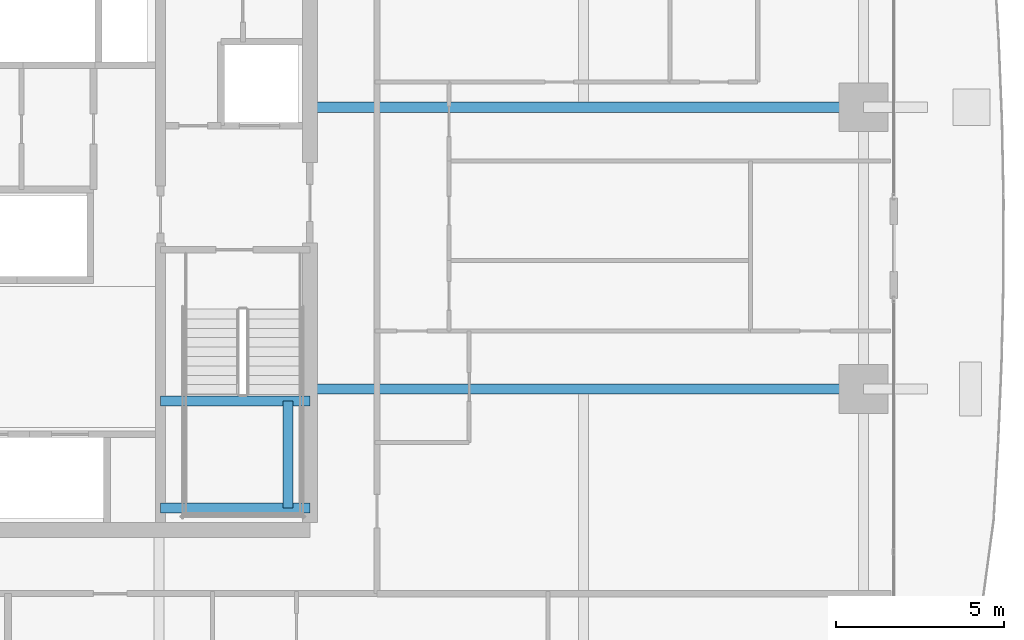
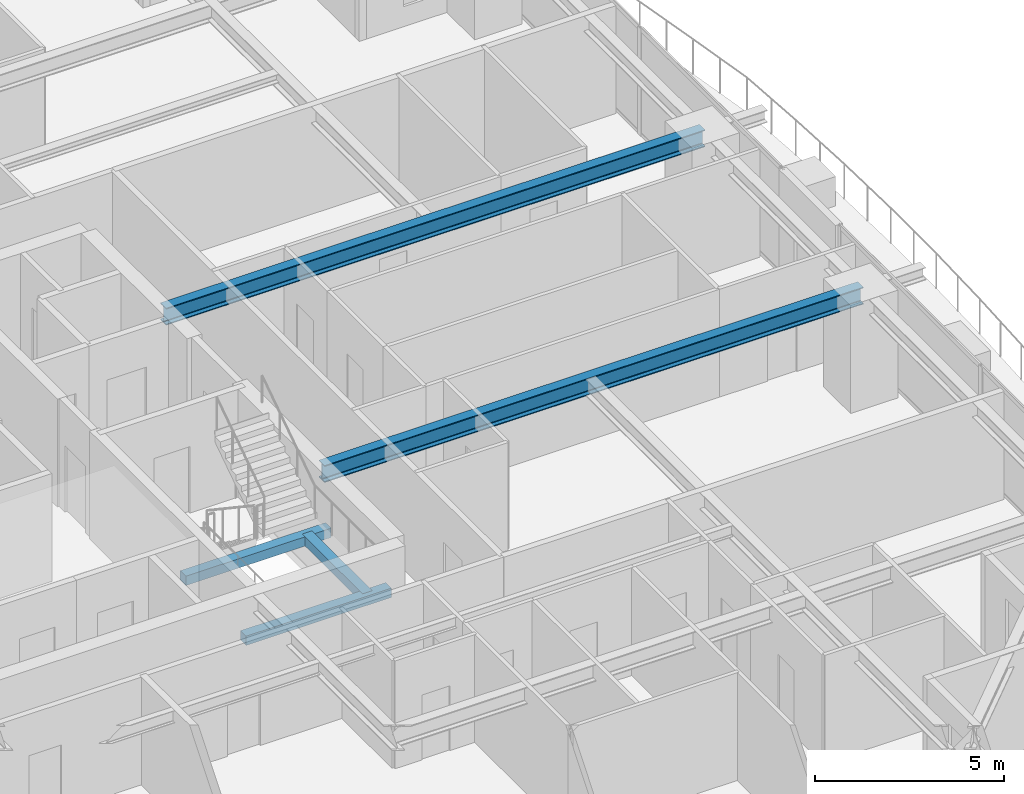
# One storey, part 13 of 39: 5 beams.
"""IFC4 building model written with IfcOpenShell, lengths in metres."""

from ifc_helpers import new_model, si_unit, direction, frame, origin, origin_2d, place, context, subcontext, project, spatial, rectangle, i_section, extrude, source, transform, mapped, material, material_profile, profile_set, type_object, element, save


model = new_model("IFC4")

# Units and contexts
model_context = context("Model", 3, precision=1e-05, world=origin(), true_north=direction((0.0, 1.0)))
body_context = subcontext(model_context, "Body", "Model", "MODEL_VIEW")
ifc_project = project(units=[si_unit("LENGTHUNIT", "METRE"), si_unit("AREAUNIT", "SQUARE_METRE"), si_unit("VOLUMEUNIT", "CUBIC_METRE"), si_unit("PLANEANGLEUNIT", "RADIAN"), si_unit("MASSUNIT", "GRAM", prefix="KILO")], contexts=[model_context])

# Site, building, storey
site_placement = place(None, origin())
site = spatial("IfcSite", under=ifc_project, at=site_placement, CompositionType="ELEMENT")
building_placement = place(site_placement, origin())
building = spatial("IfcBuilding", under=site, at=building_placement, Name="Serunith Strait Residences", CompositionType="ELEMENT")
storey_placement = place(building_placement, frame((0.0, 0.0, 97.949951171875)))
storey = spatial("IfcBuildingStorey", under=building, at=storey_placement, Name="L24", CompositionType="ELEMENT", Elevation=97.949951171875)

# Beams
ifc_material_1 = material(Name="Steel S355J2", Category="steel")
ifc_material_profile_1 = material_profile(ifc_material_1, i_section(OverallWidth=0.300048828125, OverallDepth=0.550048828125, WebThickness=0.014892578125, FlangeThickness=0.029052734375, FilletRadius=0.027099609375, at=origin_2d()), Name="HEB 550")
ifc_profile_set_1 = profile_set([ifc_material_profile_1], Name="Steel S355J2")
beam_type_1 = type_object("IfcBeamType", Name="BM-HEB550", PredefinedType="BEAM", material=ifc_profile_set_1)
shared_shape_1 = source(origin(), body_context, "Body", "SweptSolid", [
    extrude(i_section(OverallWidth=0.300048828125, OverallDepth=0.550048828125, WebThickness=0.014892578125, FlangeThickness=0.029052734375, FilletRadius=0.027099609375, at=origin_2d()), origin(), (0.0, 0.0, 1.0), 16.5),
])
for number, where, z_axis, x_axis, name in (
    (1, (41.39990234375, 21.0, 3.212158203125), (1.0, 0.0, 0.0), (0.0, 1.0, 0.0), "L24 Primary Floor Girder TC-E2"),
    (2, (41.39990234375, 29.39990234375, 3.212158203125), (1.0, 0.0, 0.0), (0.0, 1.0, 0.0), "L24 Primary Floor Girder TC-E3"),
):
    element("IfcBeam", number, at=place(storey_placement, frame(where, z_axis=z_axis, x_axis=x_axis)), inside=storey, type_object=beam_type_1, Name=name, PredefinedType="BEAM", context=body_context, shape_type="MappedRepresentation", body=[
        mapped(shared_shape_1, transform((0.0, 0.0, 0.0), scale=1.0)),
    ])
ifc_material_2 = material(Name="Concrete C60/75", Category="concrete")
ifc_material_profile_2 = material_profile(ifc_material_2, rectangle(XDim=0.300048828125, YDim=0.300048828125, at=origin_2d()), Name="RC 300x300")
ifc_profile_set_2 = profile_set([ifc_material_profile_2], Name="Concrete C60/75")
beam_type_2 = type_object("IfcBeamType", Name="BM-LAND-300x300", PredefinedType="BEAM", material=ifc_profile_set_2)
shared_shape_2 = source(origin(), body_context, "Body", "SweptSolid", [
    extrude(rectangle(XDim=0.300048828125, YDim=0.300048828125, at=origin_2d()), origin(), (0.0, 0.0, 1.0), 3.199951171875),
])
beam_placement = place(storey_placement, frame((40.75, 17.449951171875, 1.525146484375), z_axis=(0.0, 1.0, 0.0), x_axis=(-1.0, 0.0, 0.0)))
element("IfcBeam", 3, at=beam_placement, inside=storey, type_object=beam_type_2, Name="L24 ST-2 Landing Transverse Tie Beam", PredefinedType="BEAM", context=body_context, shape_type="MappedRepresentation", body=[
    mapped(shared_shape_2, transform((0.0, 0.0, 0.0), scale=1.0)),
])
shared_shape_3 = source(origin(), body_context, "Body", "SweptSolid", [
    extrude(rectangle(XDim=0.300048828125, YDim=0.300048828125, at=origin_2d()), origin(), (0.0, 0.0, 1.0), 4.449951171875),
])
for number, where, z_axis, x_axis, name in (
    (4, (36.949951171875, 17.449951171875, 1.525146484375), (1.0, 0.0, 0.0), (0.0, 1.0, 0.0), "L24 ST-2 Landing Support Beam 1"),
    (5, (36.949951171875, 20.64990234375, 1.525146484375), (1.0, 0.0, 0.0), (0.0, 1.0, 0.0), "L24 ST-2 Landing Support Beam 2"),
):
    element("IfcBeam", number, at=place(storey_placement, frame(where, z_axis=z_axis, x_axis=x_axis)), inside=storey, type_object=beam_type_2, Name=name, PredefinedType="BEAM", context=body_context, shape_type="MappedRepresentation", body=[
        mapped(shared_shape_3, transform((0.0, 0.0, 0.0), scale=1.0)),
    ])

save(model, "model.ifc")
